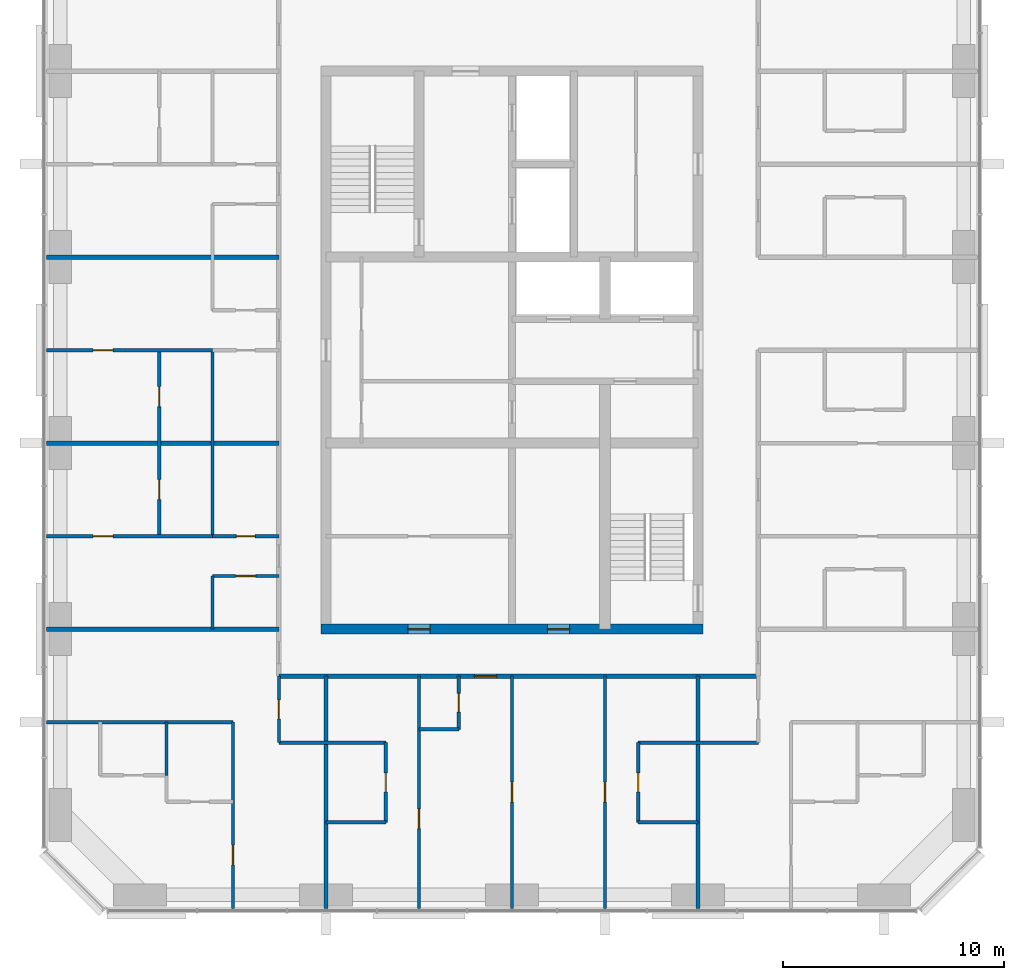
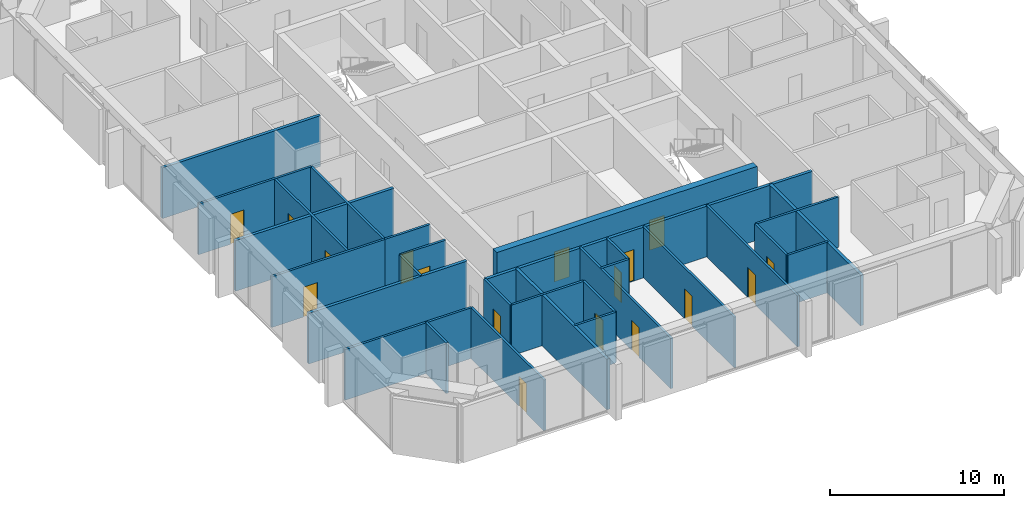
# One storey, part 7 of 12: 29 walls, 17 doors, 17 openings.
"""IFC4 building model written with IfcOpenShell, lengths in metres."""

import ifcopenshell
import ifcopenshell.guid

model = None  # the IFC model being written
_history = None  # IfcOwnerHistory: only IFC2X3 demands one
_inside = {}  # id of a spatial element -> (the spatial element, [elements in it])
_under = {}  # id of a project, library or spatial element -> (it, [spatial elements below it])
_declared = {}  # id of a project -> (the project, [libraries it declares])
_typed = {}  # id of a type object -> (the type object, [elements of that type])
_made_of = {}  # id of a material, layer set ... -> (it, [elements and type objects made of it])


def new_model(schema):
    """Start an empty IFC model of exactly this schema.

    Asked for "IFC4X3", IfcOpenShell would pick the latest addendum, in which some entities
    have other attributes; the version numbers below select the first issue.
    IFC2X3 requires an IfcOwnerHistory on every rooted entity: one is made here for all.
    """
    global model, _history
    if schema == "IFC4X3":
        model = ifcopenshell.file(schema_version=(4, 3, 0, 0))
    else:
        model = ifcopenshell.file(schema=schema)
    _inside.clear()
    _under.clear()
    _declared.clear()
    _typed.clear()
    _made_of.clear()
    _history = None
    if model.schema == "IFC2X3":
        org = make("IfcOrganization", Name="unknown")
        user = make(
            "IfcPersonAndOrganization",
            ThePerson=make("IfcPerson", FamilyName="unknown"),
            TheOrganization=org,
        )
        app = make(
            "IfcApplication",
            ApplicationDeveloper=org,
            Version="unknown",
            ApplicationFullName="unknown",
            ApplicationIdentifier="unknown",
        )
        _history = make(
            "IfcOwnerHistory",
            OwningUser=user,
            OwningApplication=app,
            ChangeAction="ADDED",
            CreationDate=0,
        )
    return model


def make(cls, **values):
    """One entity of the class cls with the attributes given. An attribute that is None is left unset."""
    return model.create_entity(
        cls, **{name: value for name, value in values.items() if value is not None}
    )


def rooted(cls, **values):
    """An entity with a GlobalId (a new one), such as an element, a storey or a relation."""
    return make(cls, GlobalId=ifcopenshell.guid.new(), OwnerHistory=_history, **values)


def si_unit(unit_type, name, prefix=None):
    """IfcSIUnit, for example si_unit("LENGTHUNIT", "METRE", prefix="MILLI")."""
    return make("IfcSIUnit", UnitType=unit_type, Prefix=prefix, Name=name)


def assignment(units):
    """IfcUnitAssignment: the units of a project."""
    return None if units is None else make("IfcUnitAssignment", Units=units)


def point(xyz):
    """IfcCartesianPoint."""
    return None if xyz is None else make("IfcCartesianPoint", Coordinates=xyz)


def direction(xyz):
    """IfcDirection."""
    return None if xyz is None else make("IfcDirection", DirectionRatios=xyz)


def frame(location, z_axis=None, x_axis=None):
    """IfcAxis2Placement3D, a coordinate frame: its origin and axes. An axis left out is left unset."""
    return make(
        "IfcAxis2Placement3D",
        Location=point(location),
        Axis=direction(z_axis),
        RefDirection=direction(x_axis),
    )


def frame_2d(location, x_axis=None):
    """IfcAxis2Placement2D, a coordinate frame in the plane: its origin and x axis."""
    return make(
        "IfcAxis2Placement2D", Location=point(location), RefDirection=direction(x_axis)
    )


def origin():
    """The frame at (0, 0, 0) with its axes left unset."""
    return frame((0.0, 0.0, 0.0))


def place(relative_to, where):
    """IfcLocalPlacement: puts the frame where relative to a parent placement (None: the world)."""
    return make(
        "IfcLocalPlacement", PlacementRelTo=relative_to, RelativePlacement=where
    )


def context(
    kind, dimensions, precision=None, world=None, true_north=None, identifier=None
):
    """IfcGeometricRepresentationContext, for example the 3D "Model" context."""
    return make(
        "IfcGeometricRepresentationContext",
        ContextIdentifier=identifier,
        ContextType=kind,
        CoordinateSpaceDimension=dimensions,
        Precision=precision,
        WorldCoordinateSystem=world,
        TrueNorth=true_north,
    )


def subcontext(parent, identifier, kind, view, scale=None):
    """IfcGeometricRepresentationSubContext, for example "Body" below "Model"."""
    return make(
        "IfcGeometricRepresentationSubContext",
        ContextIdentifier=identifier,
        ContextType=kind,
        ParentContext=parent,
        TargetScale=scale,
        TargetView=view,
    )


def project(units=None, contexts=None):
    """IfcProject with its units and contexts."""
    return rooted(
        "IfcProject",
        Name="project",
        RepresentationContexts=contexts,
        UnitsInContext=assignment(units),
    )


def spatial(cls, under=None, at=None, **own):
    """A site, building, storey or space (cls), placed at a placement, below another one or the project."""
    s = rooted(cls, ObjectPlacement=at, **own)
    if under is not None:
        _under.setdefault(under.id(), (under, []))[1].append(s)
    return s


def profile(cls, at=None, kind="AREA", **sizes):
    """A parametric profile (cls). Its sizes go by their IFC names, for example OverallWidth=200.0."""
    return make(cls, ProfileType=kind, Position=at, **sizes)


def rectangle(**sizes):
    """IfcRectangleProfileDef."""
    return profile("IfcRectangleProfileDef", **sizes)


def extrude(swept, where, along, depth):
    """IfcExtrudedAreaSolid: the profile swept, set in the frame where, extruded along a direction by depth."""
    return make(
        "IfcExtrudedAreaSolid",
        SweptArea=swept,
        Position=where,
        ExtrudedDirection=direction(along),
        Depth=depth,
    )


def shape(context_of_items, identifier, shape_type, items):
    """IfcShapeRepresentation: the items that make up one representation, for example the "Body"."""
    return make(
        "IfcShapeRepresentation",
        ContextOfItems=context_of_items,
        RepresentationIdentifier=identifier,
        RepresentationType=shape_type,
        Items=items,
    )


def material(Name=None, Category=None):
    """IfcMaterial."""
    return make("IfcMaterial", Name=Name, Category=Category)


def layer(
    of_material, thickness, ventilated=None, Name=None, Category=None, Priority=None
):
    """IfcMaterialLayer: one layer of a wall or slab, of a material (None: an air gap)."""
    return make(
        "IfcMaterialLayer",
        Material=of_material,
        LayerThickness=thickness,
        IsVentilated=ventilated,
        Name=Name,
        Category=Category,
        Priority=Priority,
    )


def layer_set(layers, Name=None):
    """IfcMaterialLayerSet."""
    return make("IfcMaterialLayerSet", MaterialLayers=layers, LayerSetName=Name)


def made_of(thing, what):
    """Note that an element or type object is made of a material, layer set ...; save() writes the relation."""
    if what is not None:
        _made_of.setdefault(what.id(), (what, []))[1].append(thing)
    return thing


def type_object(cls, material=None, **own):
    """A type object (cls), such as IfcWallType, which elements share."""
    return made_of(rooted(cls, **own), material)


def element(
    cls,
    number,
    at=None,
    inside=None,
    cuts=None,
    type_object=None,
    material=None,
    context=None,
    identifier="Body",
    shape_type=None,
    held_by="IfcProductDefinitionShape",
    body=None,
    shapes=None,
    **own,
):
    """One element of the class cls, such as IfcWall. Its Tag is "e" and its number.

    at: its placement. inside: the storey or other place that contains it. cuts: it is an
    opening in that element (IfcRelVoidsElement). A single representation is given by context,
    identifier, shape_type and body (its items); several are given by shapes. held_by: the class
    of the entity that holds the representations. save() writes the other relations.
    """
    e = rooted(cls, Tag="e%d" % number, ObjectPlacement=at, **own)
    if body is not None:
        shapes = [shape(context, identifier, shape_type, body)]
    if shapes is not None:
        e.Representation = make(held_by, Representations=shapes)
    if inside is not None:
        _inside.setdefault(inside.id(), (inside, []))[1].append(e)
    if cuts is not None:
        rooted(
            "IfcRelVoidsElement", RelatingBuildingElement=cuts, RelatedOpeningElement=e
        )
    if type_object is not None:
        _typed.setdefault(type_object.id(), (type_object, []))[1].append(e)
    return made_of(e, material)


def fill(opening, filler):
    """IfcRelFillsElement: the door or window that sits in an opening."""
    return rooted(
        "IfcRelFillsElement",
        RelatingOpeningElement=opening,
        RelatedBuildingElement=filler,
    )


def aggregate(whole, parts):
    """IfcRelAggregates: a whole, such as a stair, and the parts it consists of."""
    return rooted("IfcRelAggregates", RelatingObject=whole, RelatedObjects=parts)


def save(model, path):
    """Write the relations noted so far, then the file.

    IfcRelAggregates (storeys below a building ...), IfcRelContainedInSpatialStructure (elements
    in a storey), IfcRelDefinesByType, IfcRelAssociatesMaterial and IfcRelDeclares: one each for
    every whole, place, type object, material and project.
    """
    for whole, parts in _under.values():
        aggregate(whole, parts)
    for where, things in _inside.values():
        rooted(
            "IfcRelContainedInSpatialStructure",
            RelatedElements=things,
            RelatingStructure=where,
        )
    for kind, things in _typed.values():
        rooted("IfcRelDefinesByType", RelatedObjects=things, RelatingType=kind)
    for what, things in _made_of.values():
        rooted("IfcRelAssociatesMaterial", RelatedObjects=things, RelatingMaterial=what)
    for by, libraries in _declared.values():
        rooted("IfcRelDeclares", RelatingContext=by, RelatedDefinitions=libraries)
    model.write(path)


model = new_model("IFC4")

# Units and contexts
model_context = context("Model", 3, precision=1e-05, world=origin(), true_north=direction((0.0, 1.0)))
body_context = subcontext(model_context, "Body", "Model", "MODEL_VIEW")
ifc_project = project(units=[si_unit("LENGTHUNIT", "METRE"), si_unit("AREAUNIT", "SQUARE_METRE"), si_unit("VOLUMEUNIT", "CUBIC_METRE"), si_unit("PLANEANGLEUNIT", "RADIAN"), si_unit("MASSUNIT", "GRAM", prefix="KILO")], contexts=[model_context])

# Site, building, storey
site_placement = place(None, origin())
site = spatial("IfcSite", under=ifc_project, at=site_placement, CompositionType="ELEMENT")
building_placement = place(site_placement, origin())
building = spatial("IfcBuilding", under=site, at=building_placement, Name="Dunama Terrace Hotel", CompositionType="ELEMENT")
storey_placement = place(building_placement, frame((0.0, 0.0, 252.89990234375)))
storey = spatial("IfcBuildingStorey", under=building, at=storey_placement, Name="L65", CompositionType="ELEMENT", Elevation=252.89990234375)

# Wall, opening, door
ifc_material_1 = material(Name="Gypsum board partition", Category="masonry")
ifc_layer_1 = layer(ifc_material_1, 0.14990234375)
ifc_layer_set_1 = layer_set([ifc_layer_1], Name="Bathroom partition 150")
wall_type_1 = type_object("IfcWallType", Name="Bathroom partition 150", PredefinedType="PARTITIONING", material=ifc_layer_set_1)
wall_1_placement = place(storey_placement, frame((23.074951171875, 11.675048828125, 0.0), z_axis=(0.0, 0.0, 1.0), x_axis=(0.0, 1.0, 0.0)))
wall_1 = element("IfcWall", 1, at=wall_1_placement, inside=storey, type_object=wall_type_1, Name="Bathroom partition 150 L65", PredefinedType="PARTITIONING", context=body_context, shape_type="SweptSolid", body=[
    extrude(rectangle(XDim=3.0, YDim=0.14990234375, at=frame_2d((1.5, 0.0))), origin(), (0.0, 0.0, 1.0), 3.550048828125),
])
opening_1_placement = place(wall_1_placement, frame((1.074951171875, 0.0, 0.0)))
opening_1 = element("IfcOpeningElement", 2, at=opening_1_placement, cuts=wall_1, Name="Opening L65-67-045", PredefinedType="OPENING", context=body_context, shape_type="SweptSolid", body=[
    extrude(rectangle(XDim=0.85009765625, YDim=2.10009765625, at=frame_2d((0.425048828125, 1.050048828125))), frame((0.0, 0.0849609375, 0.0), z_axis=(0.0, -1.0, 0.0), x_axis=(1.0, 0.0, 0.0)), (0.0, 0.0, 1.0), 0.169921875),
])
ifc_material_2 = material(Name="Timber door with steel frame", Category="steel")
door_type_1 = type_object("IfcDoorType", Name="Bathroom door 850", OperationType="SINGLE_SWING_LEFT", PredefinedType="DOOR", material=ifc_material_2)
door_1_placement = place(opening_1_placement, frame((0.85009765625, 0.0, 0.0), z_axis=(0.0, 0.0, 1.0), x_axis=(-1.0, 0.0, 0.0)))
door_1 = element("IfcDoor", 3, at=door_1_placement, inside=storey, type_object=door_type_1, Name="Door to powder room L65-67-045, type D2", OperationType="SINGLE_SWING_LEFT", OverallHeight=2.10009765625, OverallWidth=0.85009765625, PredefinedType="DOOR", context=body_context, shape_type="SweptSolid", body=[
    extrude(rectangle(XDim=0.85009765625, YDim=2.10009765625, at=frame_2d((0.425048828125, 1.050048828125))), frame((0.0, 0.025146484375, 0.0), z_axis=(0.0, -1.0, 0.0), x_axis=(1.0, 0.0, 0.0)), (0.0, 0.0, 1.0), 0.050048828125),
])
fill(opening_1, door_1)

wall_2_placement = place(storey_placement, frame((27.89990234375, 8.074951171875, 0.0), z_axis=(0.0, 0.0, 1.0), x_axis=(0.0, 1.0, 0.0)))
wall_2 = element("IfcWall", 4, at=wall_2_placement, inside=storey, type_object=wall_type_1, Name="Bathroom partition 150 L65", PredefinedType="PARTITIONING", context=body_context, shape_type="SweptSolid", body=[
    extrude(rectangle(XDim=3.60009765625, YDim=0.14990234375, at=frame_2d((1.800048828125, 0.0))), origin(), (0.0, 0.0, 1.0), 3.550048828125),
])
opening_2_placement = place(wall_2_placement, frame((1.375, 0.0, 0.0)))
opening_2 = element("IfcOpeningElement", 5, at=opening_2_placement, cuts=wall_2, Name="Opening L65-67-010", PredefinedType="OPENING", context=body_context, shape_type="SweptSolid", body=[
    extrude(rectangle(XDim=0.85009765625, YDim=2.10009765625, at=frame_2d((0.425048828125, 1.050048828125))), frame((0.0, 0.0849609375, 0.0), z_axis=(0.0, -1.0, 0.0), x_axis=(1.0, 0.0, 0.0)), (0.0, 0.0, 1.0), 0.169921875),
])
door_2_placement = place(opening_2_placement, origin())
door_2 = element("IfcDoor", 6, at=door_2_placement, inside=storey, type_object=door_type_1, Name="Door to en-suite bathroom L65-67-010, type D2", OperationType="SINGLE_SWING_LEFT", OverallHeight=2.10009765625, OverallWidth=0.85009765625, PredefinedType="DOOR", context=body_context, shape_type="SweptSolid", body=[
    extrude(rectangle(XDim=0.85009765625, YDim=2.10009765625, at=frame_2d((0.425048828125, 1.050048828125))), frame((0.0, 0.02490234375, 0.0), z_axis=(0.0, -1.0, 0.0), x_axis=(1.0, 0.0, 0.0)), (0.0, 0.0, 1.0), 0.050048828125),
])
fill(opening_2, door_2)

wall_3_placement = place(storey_placement, frame((31.199951171875, 12.27490234375, 0.0), z_axis=(0.0, 0.0, 1.0), x_axis=(0.0, 1.0, 0.0)))
wall_3 = element("IfcWall", 7, at=wall_3_placement, inside=storey, type_object=wall_type_1, Name="Bathroom partition 150 L65", PredefinedType="PARTITIONING", context=body_context, shape_type="SweptSolid", body=[
    extrude(rectangle(XDim=2.400146484375, YDim=0.14990234375, at=frame_2d((1.2001953125, 0.0))), origin(), (0.0, 0.0, 1.0), 3.550048828125),
])
opening_3_placement = place(wall_3_placement, frame((0.77490234375, 0.0, 0.0)))
opening_3 = element("IfcOpeningElement", 8, at=opening_3_placement, cuts=wall_3, Name="Opening L65-67-008", PredefinedType="OPENING", context=body_context, shape_type="SweptSolid", body=[
    extrude(rectangle(XDim=0.85009765625, YDim=2.10009765625, at=frame_2d((0.425048828125, 1.050048828125))), frame((0.0, 0.0849609375, 0.0), z_axis=(0.0, -1.0, 0.0), x_axis=(1.0, 0.0, 0.0)), (0.0, 0.0, 1.0), 0.169921875),
])
door_3_placement = place(opening_3_placement, origin())
door_3 = element("IfcDoor", 9, at=door_3_placement, inside=storey, type_object=door_type_1, Name="Door to powder room L65-67-008, type D2", OperationType="SINGLE_SWING_RIGHT", OverallHeight=2.10009765625, OverallWidth=0.85009765625, PredefinedType="DOOR", context=body_context, shape_type="SweptSolid", body=[
    extrude(rectangle(XDim=0.85009765625, YDim=2.10009765625, at=frame_2d((0.425048828125, 1.050048828125))), frame((0.0, 0.02490234375, 0.0), z_axis=(0.0, -1.0, 0.0), x_axis=(1.0, 0.0, 0.0)), (0.0, 0.0, 1.0), 0.050048828125),
])
fill(opening_3, door_3)

wall_4_placement = place(storey_placement, frame((39.300048828125, 8.074951171875, 0.0), z_axis=(0.0, 0.0, 1.0), x_axis=(0.0, 1.0, 0.0)))
wall_4 = element("IfcWall", 10, at=wall_4_placement, inside=storey, type_object=wall_type_1, Name="Bathroom partition 150 L65", PredefinedType="PARTITIONING", context=body_context, shape_type="SweptSolid", body=[
    extrude(rectangle(XDim=3.60009765625, YDim=0.14990234375, at=frame_2d((1.800048828125, 0.0))), origin(), (0.0, 0.0, 1.0), 3.550048828125),
])
opening_4_placement = place(wall_4_placement, frame((1.375, 0.0, 0.0)))
opening_4 = element("IfcOpeningElement", 11, at=opening_4_placement, cuts=wall_4, Name="Opening L65-67-013", PredefinedType="OPENING", context=body_context, shape_type="SweptSolid", body=[
    extrude(rectangle(XDim=0.85009765625, YDim=2.10009765625, at=frame_2d((0.425048828125, 1.050048828125))), frame((0.0, 0.0849609375, 0.0), z_axis=(0.0, -1.0, 0.0), x_axis=(1.0, 0.0, 0.0)), (0.0, 0.0, 1.0), 0.169921875),
])
door_4_placement = place(opening_4_placement, frame((0.85009765625, 0.0, 0.0), z_axis=(0.0, 0.0, 1.0), x_axis=(-1.0, 0.0, 0.0)))
door_4 = element("IfcDoor", 12, at=door_4_placement, inside=storey, type_object=door_type_1, Name="Door to en-suite bathroom L65-67-013, type D2", OperationType="SINGLE_SWING_RIGHT", OverallHeight=2.10009765625, OverallWidth=0.85009765625, PredefinedType="DOOR", context=body_context, shape_type="SweptSolid", body=[
    extrude(rectangle(XDim=0.85009765625, YDim=2.10009765625, at=frame_2d((0.425048828125, 1.050048828125))), frame((0.0, 0.025146484375, 0.0), z_axis=(0.0, -1.0, 0.0), x_axis=(1.0, 0.0, 0.0)), (0.0, 0.0, 1.0), 0.050048828125),
])
fill(opening_4, door_4)

# Walls
for number, where, z_axis, x_axis, name in (
    (13, (25.199951171875, 8.074951171875, 0.0), (0.0, 0.0, 1.0), (1.0, 0.0, 0.0), "Bathroom partition 150 L65"),
    (14, (39.300048828125, 8.074951171875, 0.0), (0.0, 0.0, 1.0), (1.0, 0.0, 0.0), "Bathroom partition 150 L65"),
):
    element("IfcWall", number, at=place(storey_placement, frame(where, z_axis=z_axis, x_axis=x_axis)), inside=storey, type_object=wall_type_1, Name=name, PredefinedType="PARTITIONING", context=body_context, shape_type="SweptSolid", body=[
        extrude(rectangle(XDim=2.699951171875, YDim=0.14990234375, at=frame_2d((1.35009765625, 0.0))), origin(), (0.0, 0.0, 1.0), 3.550048828125),
    ])
wall_5_placement = place(storey_placement, frame((23.074951171875, 11.675048828125, 0.0), z_axis=(0.0, 0.0, 1.0), x_axis=(1.0, 0.0, 0.0)))
element("IfcWall", 15, at=wall_5_placement, inside=storey, type_object=wall_type_1, Name="Bathroom partition 150 L65", PredefinedType="PARTITIONING", context=body_context, shape_type="SweptSolid", body=[
    extrude(rectangle(XDim=4.824951171875, YDim=0.14990234375, at=frame_2d((2.41259765625, 0.0))), origin(), (0.0, 0.0, 1.0), 3.550048828125),
])
wall_6_placement = place(storey_placement, frame((39.300048828125, 11.675048828125, 0.0), z_axis=(0.0, 0.0, 1.0), x_axis=(1.0, 0.0, 0.0)))
element("IfcWall", 16, at=wall_6_placement, inside=storey, type_object=wall_type_1, Name="Bathroom partition 150 L65", PredefinedType="PARTITIONING", context=body_context, shape_type="SweptSolid", body=[
    extrude(rectangle(XDim=5.425048828125, YDim=0.14990234375, at=frame_2d((2.71240234375, 0.0))), origin(), (0.0, 0.0, 1.0), 3.550048828125),
])
wall_7_placement = place(storey_placement, frame((29.39990234375, 12.27490234375, 0.0), z_axis=(0.0, 0.0, 1.0), x_axis=(1.0, 0.0, 0.0)))
element("IfcWall", 17, at=wall_7_placement, inside=storey, type_object=wall_type_1, Name="Bathroom partition 150 L65", PredefinedType="PARTITIONING", context=body_context, shape_type="SweptSolid", body=[
    extrude(rectangle(XDim=1.800048828125, YDim=0.14990234375, at=frame_2d((0.89990234375, 0.0))), origin(), (0.0, 0.0, 1.0), 3.550048828125),
])

# Wall, opening, door
wall_8_placement = place(storey_placement, frame((20.074951171875, 21.0, 0.0), z_axis=(0.0, 0.0, 1.0), x_axis=(1.0, 0.0, 0.0)))
wall_8 = element("IfcWall", 18, at=wall_8_placement, inside=storey, type_object=wall_type_1, Name="Bathroom partition 150 L65", PredefinedType="PARTITIONING", context=body_context, shape_type="SweptSolid", body=[
    extrude(rectangle(XDim=3.0, YDim=0.14990234375, at=frame_2d((1.5, 0.0))), origin(), (0.0, 0.0, 1.0), 3.550048828125),
])
opening_5_placement = place(wall_8_placement, frame((1.074951171875, 0.0, 0.0)))
opening_5 = element("IfcOpeningElement", 19, at=opening_5_placement, cuts=wall_8, Name="Opening L65-67-031", PredefinedType="OPENING", context=body_context, shape_type="SweptSolid", body=[
    extrude(rectangle(XDim=0.85009765625, YDim=2.10009765625, at=frame_2d((0.425048828125, 1.050048828125))), frame((0.0, 0.0849609375, 0.0), z_axis=(0.0, -1.0, 0.0), x_axis=(1.0, 0.0, 0.0)), (0.0, 0.0, 1.0), 0.169921875),
])
door_5_placement = place(opening_5_placement, origin())
door_5 = element("IfcDoor", 20, at=door_5_placement, inside=storey, type_object=door_type_1, Name="Door to residence bathroom L65-67-031, type D2", OperationType="SINGLE_SWING_RIGHT", OverallHeight=2.10009765625, OverallWidth=0.85009765625, PredefinedType="DOOR", context=body_context, shape_type="SweptSolid", body=[
    extrude(rectangle(XDim=0.85009765625, YDim=2.10009765625, at=frame_2d((0.425048828125, 1.050048828125))), frame((0.0, 0.02490234375, 0.0), z_axis=(0.0, -1.0, 0.0), x_axis=(1.0, 0.0, 0.0)), (0.0, 0.0, 1.0), 0.050048828125),
])
fill(opening_5, door_5)

# Wall, openings, doors
ifc_material_3 = material(Name="Concrete C50/60", Category="concrete")
ifc_layer_2 = layer(ifc_material_3, 0.449951171875)
ifc_layer_set_2 = layer_set([ifc_layer_2], Name="Core wall 450")
wall_type_2 = type_object("IfcWallType", Name="Core wall 450", PredefinedType="SHEAR", material=ifc_layer_set_2)
wall_9_placement = place(storey_placement, frame((24.97509765625, 16.800048828125, -0.349853515625), z_axis=(0.0, 0.0, 1.0), x_axis=(1.0, 0.0, 0.0)))
wall_9 = element("IfcWall", 21, at=wall_9_placement, inside=storey, type_object=wall_type_2, Name="Core wall south L65", PredefinedType="SHEAR", context=body_context, shape_type="SweptSolid", body=[
    extrude(rectangle(XDim=17.25, YDim=0.449951171875, at=frame_2d((8.625, 0.0))), origin(), (0.0, 0.0, 1.0), 3.89990234375),
])
opening_6_placement = place(wall_9_placement, frame((3.925048828125, 0.0, 0.35009765625)))
opening_6 = element("IfcOpeningElement", 22, at=opening_6_placement, cuts=wall_9, Name="Opening L65-67-073", PredefinedType="OPENING", context=body_context, shape_type="SweptSolid", body=[
    extrude(rectangle(XDim=1.0, YDim=2.10009765625, at=frame_2d((0.5, 1.050048828125))), frame((0.0, 0.23486328125, 0.0), z_axis=(0.0, -1.0, 0.0), x_axis=(1.0, 0.0, 0.0)), (0.0, 0.0, 1.0), 0.469970703125),
])
opening_7_placement = place(wall_9_placement, frame((10.22509765625, 0.0, 0.35009765625)))
opening_7 = element("IfcOpeningElement", 23, at=opening_7_placement, cuts=wall_9, Name="Opening L65-67-075", PredefinedType="OPENING", context=body_context, shape_type="SweptSolid", body=[
    extrude(rectangle(XDim=1.0, YDim=2.10009765625, at=frame_2d((0.5, 1.050048828125))), frame((0.0, 0.23486328125, 0.0), z_axis=(0.0, -1.0, 0.0), x_axis=(1.0, 0.0, 0.0)), (0.0, 0.0, 1.0), 0.469970703125),
])
ifc_material_4 = material(Name="Timber door with steel frame", Category="steel")
door_type_2 = type_object("IfcDoorType", Name="Service door 1000", OperationType="SINGLE_SWING_LEFT", PredefinedType="DOOR", material=ifc_material_4)
door_6_placement = place(opening_6_placement, origin())
door_6 = element("IfcDoor", 24, at=door_6_placement, inside=storey, type_object=door_type_2, Name="Door to corridor air handling room L65-67-073, type D7", OperationType="SINGLE_SWING_LEFT", OverallHeight=2.10009765625, OverallWidth=1.0, PredefinedType="DOOR", context=body_context, shape_type="SweptSolid", body=[
    extrude(rectangle(XDim=1.0, YDim=2.10009765625, at=frame_2d((0.5, 1.050048828125))), frame((0.0, 0.02490234375, 0.0), z_axis=(0.0, -1.0, 0.0), x_axis=(1.0, 0.0, 0.0)), (0.0, 0.0, 1.0), 0.050048828125),
])
fill(opening_6, door_6)
door_7_placement = place(opening_7_placement, origin())
door_7 = element("IfcDoor", 25, at=door_7_placement, inside=storey, type_object=door_type_2, Name="Door to water riser room L65-67-075, type D7", OperationType="SINGLE_SWING_RIGHT", OverallHeight=2.10009765625, OverallWidth=1.0, PredefinedType="DOOR", context=body_context, shape_type="SweptSolid", body=[
    extrude(rectangle(XDim=1.0, YDim=2.10009765625, at=frame_2d((0.5, 1.050048828125))), frame((0.0, 0.02490234375, 0.0), z_axis=(0.0, -1.0, 0.0), x_axis=(1.0, 0.0, 0.0)), (0.0, 0.0, 1.0), 0.050048828125),
])
fill(opening_7, door_7)

# Wall, opening, door
ifc_material_5 = material(Name="Concrete blockwork", Category="masonry")
ifc_layer_3 = layer(ifc_material_5, 0.199951171875)
ifc_layer_set_3 = layer_set([ifc_layer_3], Name="Corridor partition 200")
wall_type_3 = type_object("IfcWallType", Name="Corridor partition 200", PredefinedType="PARTITIONING", material=ifc_layer_set_3)
wall_10_placement = place(storey_placement, frame((44.72509765625, 14.675048828125, 0.0), z_axis=(0.0, 0.0, 1.0), x_axis=(-1.0, 0.0, 0.0)))
wall_10 = element("IfcWall", 26, at=wall_10_placement, inside=storey, type_object=wall_type_3, Name="Corridor partition 200 L65", PredefinedType="PARTITIONING", context=body_context, shape_type="SweptSolid", body=[
    extrude(rectangle(XDim=21.650146484375, YDim=0.199951171875, at=frame_2d((10.8251953125, 0.0))), origin(), (0.0, 0.0, 1.0), 3.550048828125),
])
opening_8_placement = place(wall_10_placement, frame((11.824951171875, 0.0, 0.0)))
opening_8 = element("IfcOpeningElement", 27, at=opening_8_placement, cuts=wall_10, Name="Opening L65-67-007", PredefinedType="OPENING", context=body_context, shape_type="SweptSolid", body=[
    extrude(rectangle(XDim=1.0, YDim=2.199951171875, at=frame_2d((0.5, 1.10009765625))), frame((0.0, 0.10986328125, 0.0), z_axis=(0.0, -1.0, 0.0), x_axis=(1.0, 0.0, 0.0)), (0.0, 0.0, 1.0), 0.219970703125),
])
ifc_material_6 = material(Name="Timber door with steel frame", Category="steel")
door_type_3 = type_object("IfcDoorType", Name="Guest room door 1000", OperationType="SINGLE_SWING_LEFT", PredefinedType="DOOR", material=ifc_material_6)
door_8_placement = place(opening_8_placement, origin())
door_8 = element("IfcDoor", 28, at=door_8_placement, inside=storey, type_object=door_type_3, Name="Door to grand suite living room L65-67-007, type D1", OperationType="SINGLE_SWING_LEFT", OverallHeight=2.199951171875, OverallWidth=1.0, PredefinedType="DOOR", context=body_context, shape_type="SweptSolid", body=[
    extrude(rectangle(XDim=1.0, YDim=2.199951171875, at=frame_2d((0.5, 1.10009765625))), frame((0.0, 0.02490234375, 0.0), z_axis=(0.0, -1.0, 0.0), x_axis=(1.0, 0.0, 0.0)), (0.0, 0.0, 1.0), 0.050048828125),
])
fill(opening_8, door_8)

# Walls
ifc_material_7 = material(Name="Concrete blockwork", Category="masonry")
ifc_layer_4 = layer(ifc_material_7, 0.199951171875)
ifc_layer_set_4 = layer_set([ifc_layer_4], Name="Party wall 200")
wall_type_4 = type_object("IfcWallType", Name="Party wall 200", PredefinedType="PARTITIONING", material=ifc_layer_set_4)
for number, where, z_axis, x_axis, name in (
    (29, (25.199951171875, 4.181884765625, 0.0), (0.0, 0.0, 1.0), (0.0, 1.0, 0.0), "Party wall 200 L65"),
    (30, (42.0, 4.181884765625, 0.0), (0.0, 0.0, 1.0), (0.0, 1.0, 0.0), "Party wall 200 L65"),
):
    element("IfcWall", number, at=place(storey_placement, frame(where, z_axis=z_axis, x_axis=x_axis)), inside=storey, type_object=wall_type_4, Name=name, PredefinedType="PARTITIONING", context=body_context, shape_type="SweptSolid", body=[
        extrude(rectangle(XDim=10.4931640625, YDim=0.199951171875, at=frame_2d((5.24658203125, 0.0))), origin(), (0.0, 0.0, 1.0), 3.550048828125),
    ])
for number, where, z_axis, x_axis, name in (
    (31, (12.58203125, 16.800048828125, 0.0), (0.0, 0.0, 1.0), (1.0, 0.0, 0.0), "Party wall 200 L65"),
    (32, (12.58203125, 25.199951171875, 0.0), (0.0, 0.0, 1.0), (1.0, 0.0, 0.0), "Party wall 200 L65"),
    (33, (12.58203125, 33.60009765625, 0.0), (0.0, 0.0, 1.0), (1.0, 0.0, 0.0), "Party wall 200 L65"),
):
    element("IfcWall", number, at=place(storey_placement, frame(where, z_axis=z_axis, x_axis=x_axis)), inside=storey, type_object=wall_type_4, Name=name, PredefinedType="PARTITIONING", context=body_context, shape_type="SweptSolid", body=[
        extrude(rectangle(XDim=10.492919921875, YDim=0.199951171875, at=frame_2d((5.24658203125, 0.0))), origin(), (0.0, 0.0, 1.0), 3.550048828125),
    ])

# Wall, openings, doors
ifc_material_8 = material(Name="Gypsum board partition", Category="masonry")
ifc_layer_5 = layer(ifc_material_8, 0.14990234375)
ifc_layer_set_5 = layer_set([ifc_layer_5], Name="Room partition 150")
wall_type_5 = type_object("IfcWallType", Name="Room partition 150", PredefinedType="PARTITIONING", material=ifc_layer_set_5)
wall_11_placement = place(storey_placement, frame((17.675048828125, 21.0, 0.0), z_axis=(0.0, 0.0, 1.0), x_axis=(0.0, 1.0, 0.0)))
wall_11 = element("IfcWall", 34, at=wall_11_placement, inside=storey, type_object=wall_type_5, Name="Room partition 150 L65", PredefinedType="PARTITIONING", context=body_context, shape_type="SweptSolid", body=[
    extrude(rectangle(XDim=8.39990234375, YDim=0.14990234375, at=frame_2d((4.199951171875, 0.0))), origin(), (0.0, 0.0, 1.0), 3.550048828125),
])
opening_9_placement = place(wall_11_placement, frame((1.64990234375, 0.0, 0.0)))
opening_9 = element("IfcOpeningElement", 35, at=opening_9_placement, cuts=wall_11, Name="Opening L65-67-032", PredefinedType="OPENING", context=body_context, shape_type="SweptSolid", body=[
    extrude(rectangle(XDim=0.89990234375, YDim=2.10009765625, at=frame_2d((0.449951171875, 1.050048828125))), frame((0.0, 0.0849609375, 0.0), z_axis=(0.0, -1.0, 0.0), x_axis=(1.0, 0.0, 0.0)), (0.0, 0.0, 1.0), 0.169921875),
])
opening_10_placement = place(wall_11_placement, frame((5.85009765625, 0.0, 0.0)))
opening_10 = element("IfcOpeningElement", 36, at=opening_10_placement, cuts=wall_11, Name="Opening L65-67-037", PredefinedType="OPENING", context=body_context, shape_type="SweptSolid", body=[
    extrude(rectangle(XDim=0.89990234375, YDim=2.10009765625, at=frame_2d((0.449951171875, 1.050048828125))), frame((0.0, 0.0849609375, 0.0), z_axis=(0.0, -1.0, 0.0), x_axis=(1.0, 0.0, 0.0)), (0.0, 0.0, 1.0), 0.169921875),
])
ifc_material_9 = material(Name="Timber door with steel frame", Category="steel")
door_type_4 = type_object("IfcDoorType", Name="Suite internal door 900", OperationType="SINGLE_SWING_LEFT", PredefinedType="DOOR", material=ifc_material_9)
door_9_placement = place(opening_9_placement, frame((0.89990234375, 0.0, 0.0), z_axis=(0.0, 0.0, 1.0), x_axis=(-1.0, 0.0, 0.0)))
door_9 = element("IfcDoor", 37, at=door_9_placement, inside=storey, type_object=door_type_4, Name="Door to walk-in wardrobe L65-67-032, type D16", OperationType="SINGLE_SWING_RIGHT", OverallHeight=2.10009765625, OverallWidth=0.89990234375, PredefinedType="DOOR", context=body_context, shape_type="SweptSolid", body=[
    extrude(rectangle(XDim=0.89990234375, YDim=2.10009765625, at=frame_2d((0.449951171875, 1.050048828125))), frame((0.0, 0.025146484375, 0.0), z_axis=(0.0, -1.0, 0.0), x_axis=(1.0, 0.0, 0.0)), (0.0, 0.0, 1.0), 0.050048828125),
])
fill(opening_9, door_9)
door_10_placement = place(opening_10_placement, frame((0.89990234375, 0.0, 0.0), z_axis=(0.0, 0.0, 1.0), x_axis=(-1.0, 0.0, 0.0)))
door_10 = element("IfcDoor", 38, at=door_10_placement, inside=storey, type_object=door_type_4, Name="Door to walk-in wardrobe L65-67-037, type D16", OperationType="SINGLE_SWING_RIGHT", OverallHeight=2.10009765625, OverallWidth=0.89990234375, PredefinedType="DOOR", context=body_context, shape_type="SweptSolid", body=[
    extrude(rectangle(XDim=0.89990234375, YDim=2.10009765625, at=frame_2d((0.449951171875, 1.050048828125))), frame((0.0, 0.025146484375, 0.0), z_axis=(0.0, -1.0, 0.0), x_axis=(1.0, 0.0, 0.0)), (0.0, 0.0, 1.0), 0.050048828125),
])
fill(opening_10, door_10)

# Walls
wall_12_placement = place(storey_placement, frame((18.0, 10.199951171875, 0.0), z_axis=(0.0, 0.0, 1.0), x_axis=(0.0, 1.0, 0.0)))
element("IfcWall", 39, at=wall_12_placement, inside=storey, type_object=wall_type_5, Name="Room partition 150 L65", PredefinedType="PARTITIONING", context=body_context, shape_type="SweptSolid", body=[
    extrude(rectangle(XDim=2.400146484375, YDim=0.14990234375, at=frame_2d((1.2001953125, 0.0))), origin(), (0.0, 0.0, 1.0), 3.550048828125),
])
wall_13_placement = place(storey_placement, frame((20.074951171875, 16.800048828125, 0.0), z_axis=(0.0, 0.0, 1.0), x_axis=(0.0, 1.0, 0.0)))
element("IfcWall", 40, at=wall_13_placement, inside=storey, type_object=wall_type_5, Name="Room partition 150 L65", PredefinedType="PARTITIONING", context=body_context, shape_type="SweptSolid", body=[
    extrude(rectangle(XDim=2.39990234375, YDim=0.14990234375, at=frame_2d((1.199951171875, 0.0))), origin(), (0.0, 0.0, 1.0), 3.550048828125),
])
wall_14_placement = place(storey_placement, frame((20.074951171875, 21.0, 0.0), z_axis=(0.0, 0.0, 1.0), x_axis=(0.0, 1.0, 0.0)))
element("IfcWall", 41, at=wall_14_placement, inside=storey, type_object=wall_type_5, Name="Room partition 150 L65", PredefinedType="PARTITIONING", context=body_context, shape_type="SweptSolid", body=[
    extrude(rectangle(XDim=8.39990234375, YDim=0.14990234375, at=frame_2d((4.199951171875, 0.0))), origin(), (0.0, 0.0, 1.0), 3.550048828125),
])

# Wall, opening, door
wall_15_placement = place(storey_placement, frame((21.0, 4.181884765625, 0.0), z_axis=(0.0, 0.0, 1.0), x_axis=(0.0, 1.0, 0.0)))
wall_15 = element("IfcWall", 42, at=wall_15_placement, inside=storey, type_object=wall_type_5, Name="Room partition 150 L65", PredefinedType="PARTITIONING", context=body_context, shape_type="SweptSolid", body=[
    extrude(rectangle(XDim=8.418212890625, YDim=0.14990234375, at=frame_2d((4.208984375, 0.0))), origin(), (0.0, 0.0, 1.0), 3.550048828125),
])
opening_11_placement = place(wall_15_placement, frame((1.968017578125, 0.0, 0.0)))
opening_11 = element("IfcOpeningElement", 43, at=opening_11_placement, cuts=wall_15, Name="Opening L65-67-046", PredefinedType="OPENING", context=body_context, shape_type="SweptSolid", body=[
    extrude(rectangle(XDim=0.89990234375, YDim=2.10009765625, at=frame_2d((0.449951171875, 1.050048828125))), frame((0.0, 0.0849609375, 0.0), z_axis=(0.0, -1.0, 0.0), x_axis=(1.0, 0.0, 0.0)), (0.0, 0.0, 1.0), 0.169921875),
])
door_11_placement = place(opening_11_placement, origin())
door_11 = element("IfcDoor", 44, at=door_11_placement, inside=storey, type_object=door_type_4, Name="Door to grand corner suite bedroom L65-67-046, type D16", OperationType="SINGLE_SWING_RIGHT", OverallHeight=2.10009765625, OverallWidth=0.89990234375, PredefinedType="DOOR", context=body_context, shape_type="SweptSolid", body=[
    extrude(rectangle(XDim=0.89990234375, YDim=2.10009765625, at=frame_2d((0.449951171875, 1.050048828125))), frame((0.0, 0.02490234375, 0.0), z_axis=(0.0, -1.0, 0.0), x_axis=(1.0, 0.0, 0.0)), (0.0, 0.0, 1.0), 0.050048828125),
])
fill(opening_11, door_11)

wall_16_placement = place(storey_placement, frame((29.39990234375, 4.181884765625, 0.0), z_axis=(0.0, 0.0, 1.0), x_axis=(0.0, 1.0, 0.0)))
wall_16 = element("IfcWall", 45, at=wall_16_placement, inside=storey, type_object=wall_type_5, Name="Room partition 150 L65", PredefinedType="PARTITIONING", context=body_context, shape_type="SweptSolid", body=[
    extrude(rectangle(XDim=10.4931640625, YDim=0.14990234375, at=frame_2d((5.24658203125, 0.0))), origin(), (0.0, 0.0, 1.0), 3.550048828125),
])
opening_12_placement = place(wall_16_placement, frame((3.60595703125, 0.0, 0.0)))
opening_12 = element("IfcOpeningElement", 46, at=opening_12_placement, cuts=wall_16, Name="Opening L65-67-009", PredefinedType="OPENING", context=body_context, shape_type="SweptSolid", body=[
    extrude(rectangle(XDim=0.89990234375, YDim=2.10009765625, at=frame_2d((0.449951171875, 1.050048828125))), frame((0.0, 0.0849609375, 0.0), z_axis=(0.0, -1.0, 0.0), x_axis=(1.0, 0.0, 0.0)), (0.0, 0.0, 1.0), 0.169921875),
])
door_12_placement = place(opening_12_placement, origin())
door_12 = element("IfcDoor", 47, at=door_12_placement, inside=storey, type_object=door_type_4, Name="Door to grand suite bedroom L65-67-009, type D16", OperationType="SINGLE_SWING_RIGHT", OverallHeight=2.10009765625, OverallWidth=0.89990234375, PredefinedType="DOOR", context=body_context, shape_type="SweptSolid", body=[
    extrude(rectangle(XDim=0.89990234375, YDim=2.10009765625, at=frame_2d((0.449951171875, 1.050048828125))), frame((0.0, 0.02490234375, 0.0), z_axis=(0.0, -1.0, 0.0), x_axis=(1.0, 0.0, 0.0)), (0.0, 0.0, 1.0), 0.050048828125),
])
fill(opening_12, door_12)

wall_17_placement = place(storey_placement, frame((33.60009765625, 4.181884765625, 0.0), z_axis=(0.0, 0.0, 1.0), x_axis=(0.0, 1.0, 0.0)))
wall_17 = element("IfcWall", 48, at=wall_17_placement, inside=storey, type_object=wall_type_5, Name="Room partition 150 L65", PredefinedType="PARTITIONING", context=body_context, shape_type="SweptSolid", body=[
    extrude(rectangle(XDim=10.4931640625, YDim=0.14990234375, at=frame_2d((5.24658203125, 0.0))), origin(), (0.0, 0.0, 1.0), 3.550048828125),
])
opening_13_placement = place(wall_17_placement, frame((4.805908203125, 0.0, 0.0)))
opening_13 = element("IfcOpeningElement", 49, at=opening_13_placement, cuts=wall_17, Name="Opening L65-67-011", PredefinedType="OPENING", context=body_context, shape_type="SweptSolid", body=[
    extrude(rectangle(XDim=0.89990234375, YDim=2.10009765625, at=frame_2d((0.449951171875, 1.050048828125))), frame((0.0, 0.0849609375, 0.0), z_axis=(0.0, -1.0, 0.0), x_axis=(1.0, 0.0, 0.0)), (0.0, 0.0, 1.0), 0.169921875),
])
door_13_placement = place(opening_13_placement, origin())
door_13 = element("IfcDoor", 50, at=door_13_placement, inside=storey, type_object=door_type_4, Name="Door to grand suite study L65-67-011, type D16", OperationType="SINGLE_SWING_RIGHT", OverallHeight=2.10009765625, OverallWidth=0.89990234375, PredefinedType="DOOR", context=body_context, shape_type="SweptSolid", body=[
    extrude(rectangle(XDim=0.89990234375, YDim=2.10009765625, at=frame_2d((0.449951171875, 1.050048828125))), frame((0.0, 0.02490234375, 0.0), z_axis=(0.0, -1.0, 0.0), x_axis=(1.0, 0.0, 0.0)), (0.0, 0.0, 1.0), 0.050048828125),
])
fill(opening_13, door_13)

wall_18_placement = place(storey_placement, frame((37.800048828125, 4.181884765625, 0.0), z_axis=(0.0, 0.0, 1.0), x_axis=(0.0, 1.0, 0.0)))
wall_18 = element("IfcWall", 51, at=wall_18_placement, inside=storey, type_object=wall_type_5, Name="Room partition 150 L65", PredefinedType="PARTITIONING", context=body_context, shape_type="SweptSolid", body=[
    extrude(rectangle(XDim=10.4931640625, YDim=0.14990234375, at=frame_2d((5.24658203125, 0.0))), origin(), (0.0, 0.0, 1.0), 3.550048828125),
])
opening_14_placement = place(wall_18_placement, frame((4.805908203125, 0.0, 0.0)))
opening_14 = element("IfcOpeningElement", 52, at=opening_14_placement, cuts=wall_18, Name="Opening L65-67-012", PredefinedType="OPENING", context=body_context, shape_type="SweptSolid", body=[
    extrude(rectangle(XDim=0.89990234375, YDim=2.10009765625, at=frame_2d((0.449951171875, 1.050048828125))), frame((0.0, 0.0849609375, 0.0), z_axis=(0.0, -1.0, 0.0), x_axis=(1.0, 0.0, 0.0)), (0.0, 0.0, 1.0), 0.169921875),
])
door_14_placement = place(opening_14_placement, frame((0.89990234375, 0.0, 0.0), z_axis=(0.0, 0.0, 1.0), x_axis=(-1.0, 0.0, 0.0)))
door_14 = element("IfcDoor", 53, at=door_14_placement, inside=storey, type_object=door_type_4, Name="Door to grand suite second bedroom L65-67-012, type D16", OperationType="SINGLE_SWING_RIGHT", OverallHeight=2.10009765625, OverallWidth=0.89990234375, PredefinedType="DOOR", context=body_context, shape_type="SweptSolid", body=[
    extrude(rectangle(XDim=0.89990234375, YDim=2.10009765625, at=frame_2d((0.449951171875, 1.050048828125))), frame((0.0, 0.025146484375, 0.0), z_axis=(0.0, -1.0, 0.0), x_axis=(1.0, 0.0, 0.0)), (0.0, 0.0, 1.0), 0.050048828125),
])
fill(opening_14, door_14)

# Wall
wall_19_placement = place(storey_placement, frame((12.58203125, 12.60009765625, 0.0), z_axis=(0.0, 0.0, 1.0), x_axis=(1.0, 0.0, 0.0)))
element("IfcWall", 54, at=wall_19_placement, inside=storey, type_object=wall_type_5, Name="Room partition 150 L65", PredefinedType="PARTITIONING", context=body_context, shape_type="SweptSolid", body=[
    extrude(rectangle(XDim=8.41796875, YDim=0.14990234375, at=frame_2d((4.208984375, 0.0))), origin(), (0.0, 0.0, 1.0), 3.550048828125),
])

# Wall, opening, door
wall_20_placement = place(storey_placement, frame((20.074951171875, 19.199951171875, 0.0), z_axis=(0.0, 0.0, 1.0), x_axis=(1.0, 0.0, 0.0)))
wall_20 = element("IfcWall", 55, at=wall_20_placement, inside=storey, type_object=wall_type_5, Name="Room partition 150 L65", PredefinedType="PARTITIONING", context=body_context, shape_type="SweptSolid", body=[
    extrude(rectangle(XDim=3.0, YDim=0.14990234375, at=frame_2d((1.5, 0.0))), origin(), (0.0, 0.0, 1.0), 3.550048828125),
])
opening_15_placement = place(wall_20_placement, frame((1.050048828125, 0.0, 0.0)))
opening_15 = element("IfcOpeningElement", 56, at=opening_15_placement, cuts=wall_20, Name="Opening L65-67-030", PredefinedType="OPENING", context=body_context, shape_type="SweptSolid", body=[
    extrude(rectangle(XDim=0.89990234375, YDim=2.10009765625, at=frame_2d((0.449951171875, 1.050048828125))), frame((0.0, 0.0849609375, 0.0), z_axis=(0.0, -1.0, 0.0), x_axis=(1.0, 0.0, 0.0)), (0.0, 0.0, 1.0), 0.169921875),
])
door_15_placement = place(opening_15_placement, frame((0.89990234375, 0.0, 0.0), z_axis=(0.0, 0.0, 1.0), x_axis=(-1.0, 0.0, 0.0)))
door_15 = element("IfcDoor", 57, at=door_15_placement, inside=storey, type_object=door_type_4, Name="Door to residence kitchen L65-67-030, type D16", OperationType="SINGLE_SWING_LEFT", OverallHeight=2.10009765625, OverallWidth=0.89990234375, PredefinedType="DOOR", context=body_context, shape_type="SweptSolid", body=[
    extrude(rectangle(XDim=0.89990234375, YDim=2.10009765625, at=frame_2d((0.449951171875, 1.050048828125))), frame((0.0, 0.025146484375, 0.0), z_axis=(0.0, -1.0, 0.0), x_axis=(1.0, 0.0, 0.0)), (0.0, 0.0, 1.0), 0.050048828125),
])
fill(opening_15, door_15)

wall_21_placement = place(storey_placement, frame((12.58203125, 21.0, 0.0), z_axis=(0.0, 0.0, 1.0), x_axis=(1.0, 0.0, 0.0)))
wall_21 = element("IfcWall", 58, at=wall_21_placement, inside=storey, type_object=wall_type_5, Name="Room partition 150 L65", PredefinedType="PARTITIONING", context=body_context, shape_type="SweptSolid", body=[
    extrude(rectangle(XDim=7.492919921875, YDim=0.14990234375, at=frame_2d((3.74658203125, 0.0))), origin(), (0.0, 0.0, 1.0), 3.550048828125),
])
opening_16_placement = place(wall_21_placement, frame((2.10595703125, 0.0, 0.0)))
opening_16 = element("IfcOpeningElement", 59, at=opening_16_placement, cuts=wall_21, Name="Opening L65-67-033", PredefinedType="OPENING", context=body_context, shape_type="SweptSolid", body=[
    extrude(rectangle(XDim=0.89990234375, YDim=2.10009765625, at=frame_2d((0.449951171875, 1.050048828125))), frame((0.0, 0.0849609375, 0.0), z_axis=(0.0, -1.0, 0.0), x_axis=(1.0, 0.0, 0.0)), (0.0, 0.0, 1.0), 0.169921875),
])
door_16_placement = place(opening_16_placement, origin())
door_16 = element("IfcDoor", 60, at=door_16_placement, inside=storey, type_object=door_type_4, Name="Door to residence bedroom L65-67-033, type D16", OperationType="SINGLE_SWING_RIGHT", OverallHeight=2.10009765625, OverallWidth=0.89990234375, PredefinedType="DOOR", context=body_context, shape_type="SweptSolid", body=[
    extrude(rectangle(XDim=0.89990234375, YDim=2.10009765625, at=frame_2d((0.449951171875, 1.050048828125))), frame((0.0, 0.02490234375, 0.0), z_axis=(0.0, -1.0, 0.0), x_axis=(1.0, 0.0, 0.0)), (0.0, 0.0, 1.0), 0.050048828125),
])
fill(opening_16, door_16)

wall_22_placement = place(storey_placement, frame((12.58203125, 29.39990234375, 0.0), z_axis=(0.0, 0.0, 1.0), x_axis=(1.0, 0.0, 0.0)))
wall_22 = element("IfcWall", 61, at=wall_22_placement, inside=storey, type_object=wall_type_5, Name="Room partition 150 L65", PredefinedType="PARTITIONING", context=body_context, shape_type="SweptSolid", body=[
    extrude(rectangle(XDim=7.492919921875, YDim=0.14990234375, at=frame_2d((3.74658203125, 0.0))), origin(), (0.0, 0.0, 1.0), 3.550048828125),
])
opening_17_placement = place(wall_22_placement, frame((2.10595703125, 0.0, 0.0)))
opening_17 = element("IfcOpeningElement", 62, at=opening_17_placement, cuts=wall_22, Name="Opening L65-67-038", PredefinedType="OPENING", context=body_context, shape_type="SweptSolid", body=[
    extrude(rectangle(XDim=0.89990234375, YDim=2.10009765625, at=frame_2d((0.449951171875, 1.050048828125))), frame((0.0, 0.0849609375, 0.0), z_axis=(0.0, -1.0, 0.0), x_axis=(1.0, 0.0, 0.0)), (0.0, 0.0, 1.0), 0.169921875),
])
door_17_placement = place(opening_17_placement, frame((0.89990234375, 0.0, 0.0), z_axis=(0.0, 0.0, 1.0), x_axis=(-1.0, 0.0, 0.0)))
door_17 = element("IfcDoor", 63, at=door_17_placement, inside=storey, type_object=door_type_4, Name="Door to residence bedroom L65-67-038, type D16", OperationType="SINGLE_SWING_LEFT", OverallHeight=2.10009765625, OverallWidth=0.89990234375, PredefinedType="DOOR", context=body_context, shape_type="SweptSolid", body=[
    extrude(rectangle(XDim=0.89990234375, YDim=2.10009765625, at=frame_2d((0.449951171875, 1.050048828125))), frame((0.0, 0.025146484375, 0.0), z_axis=(0.0, -1.0, 0.0), x_axis=(1.0, 0.0, 0.0)), (0.0, 0.0, 1.0), 0.050048828125),
])
fill(opening_17, door_17)

save(model, "model.ifc")
